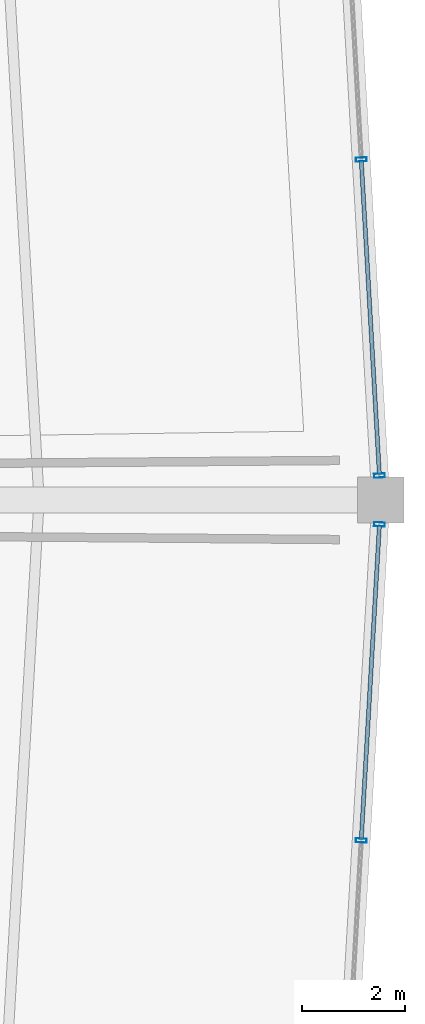
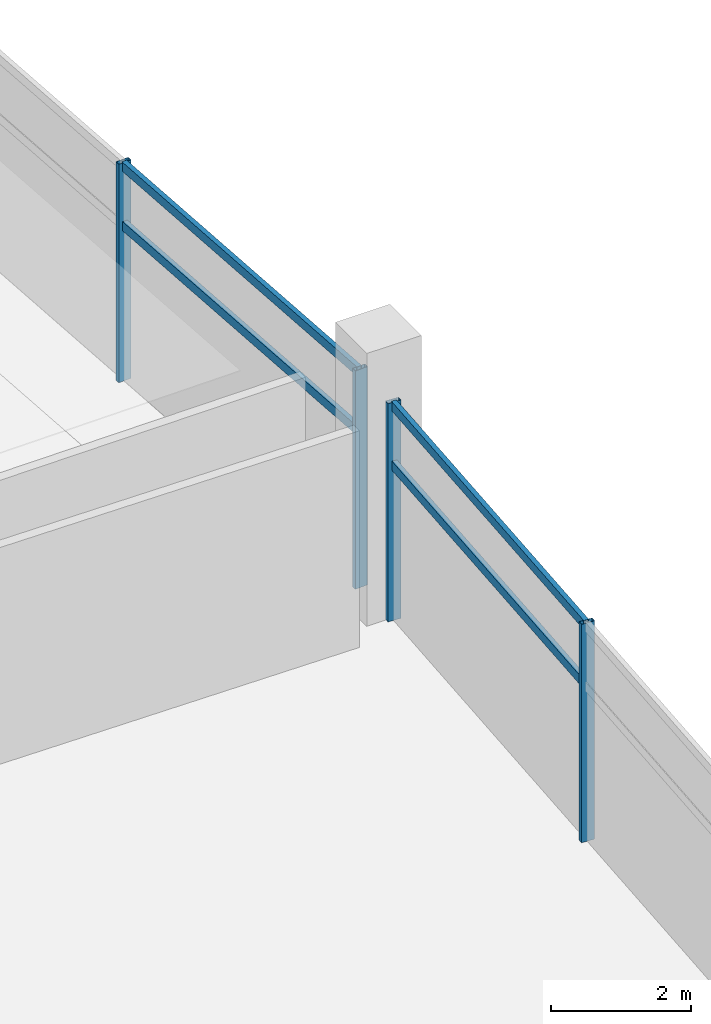
# One storey, part 72 of 171: 8 members, 2 elements without a shape of their own.
"""IFC4 building model written with IfcOpenShell, lengths in metres."""

from ifc_helpers import new_model, si_unit, direction, frame, origin, origin_2d, place, context, subcontext, project, spatial, hollow_rectangle, extrude, material, layer, layer_set, material_profile, profile_set, type_object, element, aggregate, save


model = new_model("IFC4")

# Units and contexts
model_context = context("Model", 3, precision=1e-05, world=origin(), true_north=direction((0.0, 1.0)))
body_context = subcontext(model_context, "Body", "Model", "MODEL_VIEW")
ifc_project = project(units=[si_unit("LENGTHUNIT", "METRE"), si_unit("AREAUNIT", "SQUARE_METRE"), si_unit("VOLUMEUNIT", "CUBIC_METRE"), si_unit("PLANEANGLEUNIT", "RADIAN"), si_unit("MASSUNIT", "GRAM", prefix="KILO")], contexts=[model_context])

# Site, building, storey
site_placement = place(None, origin())
site = spatial("IfcSite", under=ifc_project, at=site_placement, CompositionType="ELEMENT")
building_placement = place(site_placement, origin())
building = spatial("IfcBuilding", under=site, at=building_placement, Name="Kazemori Nagisa Stadium", CompositionType="ELEMENT")
storey_placement = place(building_placement, frame((0.0, 0.0, 15.639892578125)))
storey = spatial("IfcBuildingStorey", under=building, at=storey_placement, Name="L03", CompositionType="ELEMENT", Elevation=15.639892578125)

# Curtain wall, members
ifc_material_1 = material(Name="Anodised aluminium 6063-T5", Category="aluminium")
ifc_layer = layer(ifc_material_1, 0.2099609375, Name="Anodised aluminium 6063-T5", Category="aluminium")
ifc_layer_set = layer_set([ifc_layer], Name="Anodised aluminium 6063-T5")
curtain_wall_type = type_object("IfcCurtainWallType", Name="CW_L03R3_93", PredefinedType="USERDEFINED", material=ifc_layer_set)
curtain_wall_1_placement = place(storey_placement, origin())
curtain_wall_1 = element("IfcCurtainWall", 1, at=curtain_wall_1_placement, inside=storey, type_object=curtain_wall_type, Name="Unitised curtain wall CW-L03R3-93 L03", ObjectType="UNITISED CURTAIN WALL", PredefinedType="USERDEFINED")
ifc_material_2 = material(Name="Aluminium 6063-T5 anodised", Category="aluminium")
ifc_material_profile_1 = material_profile(ifc_material_2, hollow_rectangle(XDim=0.080078125, YDim=0.2099609375, WallThickness=0.0048828125, at=origin_2d()), Name="ALU-MULL-80x210x5")
ifc_profile_set_1 = profile_set([ifc_material_profile_1], Name="Aluminium 6063-T5 anodised")
member_type_1 = type_object("IfcMemberType", Name="Mullion_M02", PredefinedType="MULLION", material=ifc_profile_set_1)
member_1_placement = place(storey_placement, frame((217.97265625, 102.47412109375, 0.0), z_axis=(0.0, 0.0, 1.0), x_axis=(-0.057601670941, 0.998339645364, 0.0)))
member_1 = element("IfcMember", 2, at=member_1_placement, type_object=member_type_1, Name="Curtain wall mullion CW-L03R3-93-M1", PredefinedType="MULLION", context=body_context, shape_type="SweptSolid", body=[
    extrude(hollow_rectangle(XDim=0.080078125, YDim=0.2099609375, WallThickness=0.0048828125, at=origin_2d()), origin(), (0.0, 0.0, 1.0), 3.81005859375),
])
member_2_placement = place(storey_placement, frame((217.617919921875, 108.6240234375, 0.0), z_axis=(0.0, 0.0, 1.0), x_axis=(-0.057601670941, 0.998339645364, 0.0)))
member_2 = element("IfcMember", 3, at=member_2_placement, type_object=member_type_1, Name="Curtain wall mullion CW-L03R3-93-M2", PredefinedType="MULLION", context=body_context, shape_type="SweptSolid", body=[
    extrude(hollow_rectangle(XDim=0.080078125, YDim=0.2099609375, WallThickness=0.0048828125, at=origin_2d()), origin(), (0.0, 0.0, 1.0), 3.81005859375),
])

curtain_wall_2_placement = place(storey_placement, origin())
curtain_wall_2 = element("IfcCurtainWall", 4, at=curtain_wall_2_placement, inside=storey, type_object=curtain_wall_type, Name="Unitised curtain wall CW-L03R3-93 L03", ObjectType="UNITISED CURTAIN WALL", PredefinedType="USERDEFINED")
member_3_placement = place(storey_placement, frame((217.617919921875, 95.3759765625, 0.0), z_axis=(0.0, 0.0, 1.0), x_axis=(0.057601670941, 0.998339645364, 0.0)))
member_3 = element("IfcMember", 5, at=member_3_placement, type_object=member_type_1, Name="Curtain wall mullion CW-L03R3-93-M3", PredefinedType="MULLION", context=body_context, shape_type="SweptSolid", body=[
    extrude(hollow_rectangle(XDim=0.080078125, YDim=0.2099609375, WallThickness=0.0048828125, at=origin_2d()), origin(), (0.0, 0.0, 1.0), 3.81005859375),
])
member_4_placement = place(storey_placement, frame((217.97265625, 101.52587890625, 0.0), z_axis=(0.0, 0.0, 1.0), x_axis=(0.057601670941, 0.998339645364, 0.0)))
member_4 = element("IfcMember", 6, at=member_4_placement, type_object=member_type_1, Name="Curtain wall mullion CW-L03R3-93-M4", PredefinedType="MULLION", context=body_context, shape_type="SweptSolid", body=[
    extrude(hollow_rectangle(XDim=0.080078125, YDim=0.2099609375, WallThickness=0.0048828125, at=origin_2d()), origin(), (0.0, 0.0, 1.0), 3.81005859375),
])

# Member
ifc_material_profile_2 = material_profile(ifc_material_2, hollow_rectangle(XDim=0.080078125, YDim=0.159912109375, WallThickness=0.00390625, at=origin_2d()), Name="ALU-TRAN-80x160x4")
ifc_profile_set_2 = profile_set([ifc_material_profile_2], Name="Aluminium 6063-T5 anodised")
member_type_2 = type_object("IfcMemberType", Name="Transom_T02", PredefinedType="USERDEFINED", material=ifc_profile_set_2)
member_5_placement = place(storey_placement, frame((217.971435546875, 102.494140625, 2.705322265625), z_axis=(-0.057604181202, 0.998339500525, 0.0), x_axis=(-0.998339500525, -0.057604181202, 0.0)))
member_5 = element("IfcMember", 7, at=member_5_placement, type_object=member_type_2, Name="Curtain wall transom CW-L03R3-93-T1-mid", ObjectType="TRANSOM", PredefinedType="USERDEFINED", context=body_context, shape_type="SweptSolid", body=[
    extrude(hollow_rectangle(XDim=0.080078125, YDim=0.159912109375, WallThickness=0.00390625, at=origin_2d()), origin(), (0.0, 0.0, 1.0), 6.1201171875),
])

member_6_placement = place(storey_placement, frame((217.971435546875, 102.494140625, 3.739990234375), z_axis=(-0.057604181202, 0.998339500525, 0.0), x_axis=(-0.998339500525, -0.057604181202, 0.0)))
member_6 = element("IfcMember", 8, at=member_6_placement, type_object=member_type_2, Name="Curtain wall transom CW-L03R3-93-T1-head", ObjectType="TRANSOM", PredefinedType="USERDEFINED", context=body_context, shape_type="SweptSolid", body=[
    extrude(hollow_rectangle(XDim=0.080078125, YDim=0.159912109375, WallThickness=0.00390625, at=origin_2d()), origin(), (0.0, 0.0, 1.0), 6.1201171875),
])

aggregate(curtain_wall_1, [member_1, member_2, member_5, member_6])

member_7_placement = place(storey_placement, frame((217.618896484375, 95.39599609375, 2.705322265625), z_axis=(0.057604181202, 0.998339500525, 0.0), x_axis=(-0.998339500525, 0.057604181202, 0.0)))
member_7 = element("IfcMember", 9, at=member_7_placement, type_object=member_type_2, Name="Curtain wall transom CW-L03R3-93-T3-mid", ObjectType="TRANSOM", PredefinedType="USERDEFINED", context=body_context, shape_type="SweptSolid", body=[
    extrude(hollow_rectangle(XDim=0.080078125, YDim=0.159912109375, WallThickness=0.00390625, at=origin_2d()), origin(), (0.0, 0.0, 1.0), 6.1201171875),
])

member_8_placement = place(storey_placement, frame((217.618896484375, 95.39599609375, 3.739990234375), z_axis=(0.057604181202, 0.998339500525, 0.0), x_axis=(-0.998339500525, 0.057604181202, 0.0)))
member_8 = element("IfcMember", 10, at=member_8_placement, type_object=member_type_2, Name="Curtain wall transom CW-L03R3-93-T3-head", ObjectType="TRANSOM", PredefinedType="USERDEFINED", context=body_context, shape_type="SweptSolid", body=[
    extrude(hollow_rectangle(XDim=0.080078125, YDim=0.159912109375, WallThickness=0.00390625, at=origin_2d()), origin(), (0.0, 0.0, 1.0), 6.1201171875),
])

aggregate(curtain_wall_2, [member_3, member_4, member_7, member_8])

save(model, "model.ifc")
